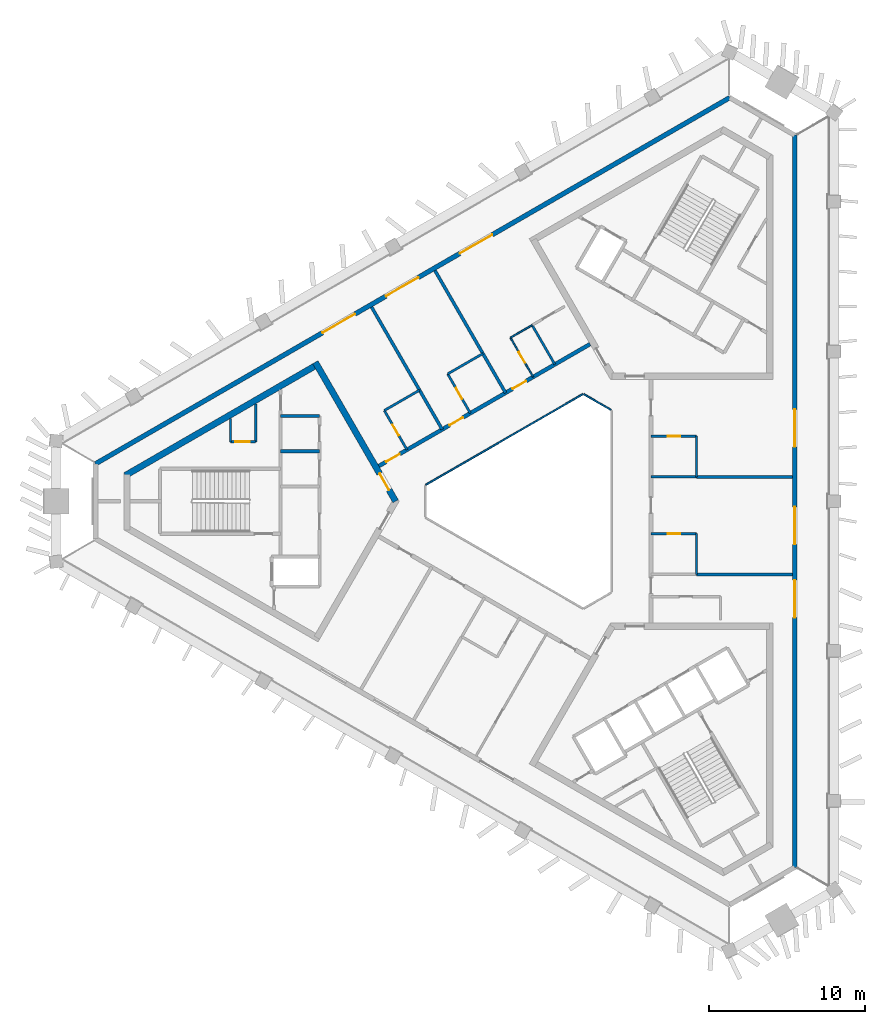
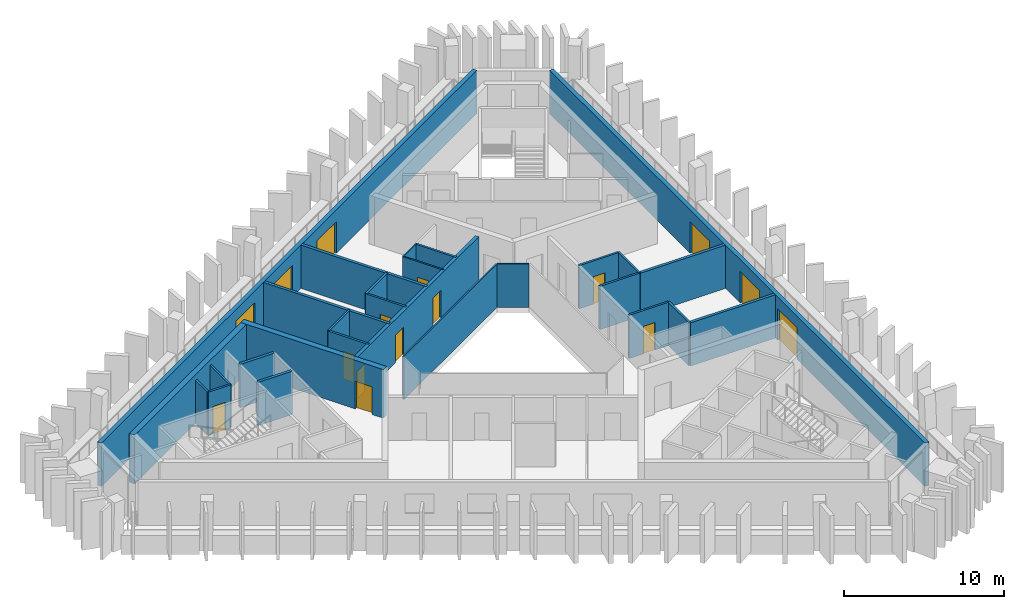
# One storey, part 4 of 9: 28 walls, 16 doors, 16 openings.
"""IFC4 building model written with IfcOpenShell, lengths in metres."""

from ifc_helpers import new_model, si_unit, direction, frame, frame_2d, origin, place, context, subcontext, project, spatial, rectangle, extrude, material, layer, layer_set, type_object, element, fill, save


model = new_model("IFC4")

# Units and contexts
model_context = context("Model", 3, precision=1e-05, world=origin(), true_north=direction((0.0, 1.0)))
body_context = subcontext(model_context, "Body", "Model", "MODEL_VIEW")
ifc_project = project(units=[si_unit("LENGTHUNIT", "METRE"), si_unit("AREAUNIT", "SQUARE_METRE"), si_unit("VOLUMEUNIT", "CUBIC_METRE"), si_unit("PLANEANGLEUNIT", "RADIAN"), si_unit("MASSUNIT", "GRAM", prefix="KILO")], contexts=[model_context])

# Site, building, storey
site_placement = place(None, origin())
site = spatial("IfcSite", under=ifc_project, at=site_placement, CompositionType="ELEMENT")
building_placement = place(site_placement, origin())
building = spatial("IfcBuilding", under=site, at=building_placement, Name="Jabali Bay Hotel Tower and Convention Centre", CompositionType="ELEMENT")
storey_placement = place(building_placement, frame((0.0, 0.0, 288.60009765625)))
storey = spatial("IfcBuildingStorey", under=building, at=storey_placement, Name="L71", CompositionType="ELEMENT", Elevation=288.60009765625)

# Walls
ifc_material_1 = material(Name="Fire-resistant glazing", Category="glass")
ifc_layer_1 = layer(ifc_material_1, 0.10009765625)
ifc_layer_set_1 = layer_set([ifc_layer_1], Name="Fire-resistant glazing")
wall_type_1 = type_object("IfcWallType", Name="Atrium glazed screen 100", PredefinedType="PARTITIONING", material=ifc_layer_set_1)
wall_1_placement = place(storey_placement, frame((79.530029296875, 85.84619140625, 0.0), z_axis=(0.0, 0.0, 1.0), x_axis=(-0.866041268327, 0.499972520799, 0.0)))
element("IfcWall", 1, at=wall_1_placement, inside=storey, type_object=wall_type_1, Name="Atrium screen 2 L71", PredefinedType="PARTITIONING", context=body_context, shape_type="SweptSolid", body=[
    extrude(rectangle(XDim=2.0, YDim=0.10009765625, at=frame_2d((1.0, 0.0))), origin(), (0.0, 0.0, 1.0), 3.2998046875),
])
wall_2_placement = place(storey_placement, frame((77.738037109375, 86.84619140625, 0.0), z_axis=(0.0, 0.0, 1.0), x_axis=(-0.866026658274, -0.499997827154, 0.0)))
element("IfcWall", 2, at=wall_2_placement, inside=storey, type_object=wall_type_1, Name="Atrium screen 3 L71", PredefinedType="PARTITIONING", context=body_context, shape_type="SweptSolid", body=[
    extrude(rectangle(XDim=11.58837890625, YDim=0.10009765625, at=frame_2d((5.794189453125, 0.0))), origin(), (0.0, 0.0, 1.0), 3.2998046875),
])

# Wall, opening, door
ifc_material_2 = material(Name="Fire-rated board partition")
ifc_layer_2 = layer(ifc_material_2, 0.14990234375)
ifc_layer_set_2 = layer_set([ifc_layer_2], Name="Fire-rated board partition")
wall_type_2 = type_object("IfcWallType", Name="Core room partition 150", PredefinedType="PARTITIONING", material=ifc_layer_set_2)
wall_3_placement = place(storey_placement, frame((56.820068359375, 83.800048828125, 0.0), z_axis=(0.0, 0.0, 1.0), x_axis=(-1.0, 0.0, 0.0)))
wall_3 = element("IfcWall", 3, at=wall_3_placement, inside=storey, type_object=wall_type_2, Name="Core wall 0.1 L71", PredefinedType="PARTITIONING", context=body_context, shape_type="SweptSolid", body=[
    extrude(rectangle(XDim=1.60009765625, YDim=0.14990234375, at=frame_2d((0.800048828125, 0.0))), origin(), (0.0, 0.0, 1.0), 3.2998046875),
])
opening_1_placement = place(wall_3_placement, frame((0.387451171875, 0.0, 0.0)))
opening_1 = element("IfcOpeningElement", 4, at=opening_1_placement, cuts=wall_3, Name="Opening D1572", PredefinedType="OPENING", context=body_context, shape_type="SweptSolid", body=[
    extrude(rectangle(XDim=0.89990234375, YDim=2.10009765625, at=frame_2d((0.449951171875, 1.050048828125))), frame((0.0, 0.08544921875, 0.0), z_axis=(0.0, -1.0, 0.0), x_axis=(1.0, 0.0, 0.0)), (0.0, 0.0, 1.0), 0.1708984375),
])
ifc_material_3 = material(Name="Fire-rated steel door", Category="steel")
door_type_1 = type_object("IfcDoorType", Name="Core room door 900 x 2100", OperationType="NOTDEFINED", PredefinedType="NOTDEFINED", material=ifc_material_3)
door_1_placement = place(opening_1_placement, origin())
door_1 = element("IfcDoor", 5, at=door_1_placement, inside=storey, type_object=door_type_1, Name="Core room door D1572", OperationType="SINGLE_SWING_LEFT", OverallHeight=2.10009765625, OverallWidth=0.89990234375, PredefinedType="NOTDEFINED", context=body_context, shape_type="SweptSolid", body=[
    extrude(rectangle(XDim=0.89990234375, YDim=2.10009765625, at=frame_2d((0.449951171875, 1.050048828125))), frame((0.0, 0.02490234375, 0.0), z_axis=(0.0, -1.0, 0.0), x_axis=(1.0, 0.0, 0.0)), (0.0, 0.0, 1.0), 0.050048828125),
])
fill(opening_1, door_1)

# Walls
wall_4_placement = place(storey_placement, frame((56.820068359375, 86.223876953125, 0.0), z_axis=(0.0, 0.0, 1.0), x_axis=(0.0, -1.0, 0.0)))
element("IfcWall", 6, at=wall_4_placement, inside=storey, type_object=wall_type_2, Name="Core wall 0.13 L71", PredefinedType="PARTITIONING", context=body_context, shape_type="SweptSolid", body=[
    extrude(rectangle(XDim=2.423828125, YDim=0.14990234375, at=frame_2d((1.2119140625, 0.0))), origin(), (0.0, 0.0, 1.0), 3.2998046875),
])
wall_5_placement = place(storey_placement, frame((55.219970703125, 85.300048828125, 0.0), z_axis=(0.0, 0.0, 1.0), x_axis=(0.0, -1.0, 0.0)))
element("IfcWall", 7, at=wall_5_placement, inside=storey, type_object=wall_type_2, Name="Core wall 0.14 L71", PredefinedType="PARTITIONING", context=body_context, shape_type="SweptSolid", body=[
    extrude(rectangle(XDim=1.5, YDim=0.14990234375, at=frame_2d((0.75, 0.0))), origin(), (0.0, 0.0, 1.0), 3.2998046875),
])
ifc_material_4 = material(Name="Concrete C40", Category="concrete")
ifc_layer_3 = layer(ifc_material_4, 0.199951171875)
ifc_layer_set_3 = layer_set([ifc_layer_3], Name="Concrete C40")
wall_type_3 = type_object("IfcWallType", Name="Core stair wall 200", PredefinedType="SOLIDWALL", material=ifc_layer_set_3)
for number, where, z_axis, x_axis, name in (
    (8, (60.89990234375, 85.449951171875, 0.0), (0.0, 0.0, 1.0), (-1.0, 0.0, 0.0), "Core wall 0.0 L71"),
    (9, (60.89990234375, 83.199951171875, 0.0), (0.0, 0.0, 1.0), (-1.0, 0.0, 0.0), "Core wall 0.2 L71"),
):
    element("IfcWall", number, at=place(storey_placement, frame(where, z_axis=z_axis, x_axis=x_axis)), inside=storey, type_object=wall_type_3, Name=name, PredefinedType="SOLIDWALL", context=body_context, shape_type="SweptSolid", body=[
        extrude(rectangle(XDim=2.47998046875, YDim=0.199951171875, at=frame_2d((1.239990234375, 0.0))), origin(), (0.0, 0.0, 1.0), 3.2998046875),
    ])

# Wall, opening, door
ifc_material_5 = material(Name="Concrete C60", Category="concrete")
ifc_layer_4 = layer(ifc_material_5, 0.39990234375)
ifc_layer_set_4 = layer_set([ifc_layer_4], Name="Concrete C60")
wall_type_4 = type_object("IfcWallType", Name="Core wall 400", PredefinedType="SHEAR", material=ifc_layer_set_4)
wall_6_placement = place(storey_placement, frame((65.76904296875, 80.0, 0.0), z_axis=(0.0, 0.0, 1.0), x_axis=(-0.50000177223, 0.866024380585, 0.0)))
wall_6 = element("IfcWall", 10, at=wall_6_placement, inside=storey, type_object=wall_type_4, Name="Core wall 1.1 L71", PredefinedType="SHEAR", context=body_context, shape_type="SweptSolid", body=[
    extrude(rectangle(XDim=10.2646484375, YDim=0.39990234375, at=frame_2d((5.13232421875, 0.0))), origin(), (0.0, 0.0, 1.0), 3.699951171875),
])
opening_2_placement = place(wall_6_placement, frame((0.83447265625, 0.0, 0.0)))
opening_2 = element("IfcOpeningElement", 11, at=opening_2_placement, cuts=wall_6, Name="Opening D1564", PredefinedType="OPENING", context=body_context, shape_type="SweptSolid", body=[
    extrude(rectangle(XDim=1.199951171875, YDim=2.10009765625, at=frame_2d((0.60009765625, 1.050048828125))), frame((0.0, 0.21044921875, 0.0), z_axis=(0.0, -1.0, 0.0), x_axis=(1.0, 0.0, 0.0)), (0.0, 0.0, 1.0), 0.4208984375),
])
door_type_2 = type_object("IfcDoorType", Name="Corridor end fire door 1200 x 2100", OperationType="NOTDEFINED", PredefinedType="NOTDEFINED", material=ifc_material_3)
door_2_placement = place(opening_2_placement, origin())
door_2 = element("IfcDoor", 12, at=door_2_placement, inside=storey, type_object=door_type_2, Name="Corridor end fire door D1564", OperationType="SINGLE_SWING_RIGHT", OverallHeight=2.10009765625, OverallWidth=1.199951171875, PredefinedType="NOTDEFINED", context=body_context, shape_type="SweptSolid", body=[
    extrude(rectangle(XDim=1.199951171875, YDim=2.10009765625, at=frame_2d((0.60009765625, 1.050048828125))), frame((0.0, 0.02490234375, 0.0), z_axis=(0.0, -1.0, 0.0), x_axis=(1.0, 0.0, 0.0)), (0.0, 0.0, 1.0), 0.050048828125),
])
fill(opening_2, door_2)

# Wall
wall_7_placement = place(storey_placement, frame((60.73681640625, 88.716064453125, 0.0), z_axis=(0.0, 0.0, 1.0), x_axis=(-0.866028812667, -0.499994095595, 0.0)))
element("IfcWall", 13, at=wall_7_placement, inside=storey, type_object=wall_type_4, Name="Core wall 1.2 L71", PredefinedType="SHEAR", context=body_context, shape_type="SweptSolid", body=[
    extrude(rectangle(XDim=14.133544921875, YDim=0.39990234375, at=frame_2d((7.06689453125, 0.0))), origin(), (0.0, 0.0, 1.0), 3.699951171875),
])

# Wall, openings, doors
ifc_layer_5 = layer(ifc_material_5, 0.25)
ifc_layer_set_5 = layer_set([ifc_layer_5], Name="Concrete C60")
wall_type_5 = type_object("IfcWallType", Name="Corridor wall 250", PredefinedType="SHEAR", material=ifc_layer_set_5)
wall_8_placement = place(storey_placement, frame((78.199951171875, 90.0458984375, 0.0), z_axis=(0.0, 0.0, 1.0), x_axis=(-0.866026492143, -0.499998114903, 0.0)))
wall_8 = element("IfcWall", 14, at=wall_8_placement, inside=storey, type_object=wall_type_5, Name="Corridor wall 2 L71", PredefinedType="SHEAR", context=body_context, shape_type="SweptSolid", body=[
    extrude(rectangle(XDim=15.58837890625, YDim=0.25, at=frame_2d((7.794189453125, 0.0))), origin(), (0.0, 0.0, 1.0), 3.2998046875),
])
opening_3_placement = place(wall_8_placement, frame((4.7177734375, 0.0, 0.0)))
opening_3 = element("IfcOpeningElement", 15, at=opening_3_placement, cuts=wall_8, Name="Opening 7109", PredefinedType="OPENING", context=body_context, shape_type="SweptSolid", body=[
    extrude(rectangle(XDim=1.0, YDim=2.10009765625, at=frame_2d((0.5, 1.050048828125))), frame((0.0, 0.135498046875, 0.0), z_axis=(0.0, -1.0, 0.0), x_axis=(1.0, 0.0, 0.0)), (0.0, 0.0, 1.0), 0.27099609375),
])
opening_4_placement = place(wall_8_placement, frame((9.373779296875, 0.0, 0.0)))
opening_4 = element("IfcOpeningElement", 16, at=opening_4_placement, cuts=wall_8, Name="Opening 7111", PredefinedType="OPENING", context=body_context, shape_type="SweptSolid", body=[
    extrude(rectangle(XDim=1.0, YDim=2.10009765625, at=frame_2d((0.5, 1.050048828125))), frame((0.0, 0.135498046875, 0.0), z_axis=(0.0, -1.0, 0.0), x_axis=(1.0, 0.0, 0.0)), (0.0, 0.0, 1.0), 0.27099609375),
])
opening_5_placement = place(wall_8_placement, frame((14.05029296875, 0.0, 0.0)))
opening_5 = element("IfcOpeningElement", 17, at=opening_5_placement, cuts=wall_8, Name="Opening 7113", PredefinedType="OPENING", context=body_context, shape_type="SweptSolid", body=[
    extrude(rectangle(XDim=1.0, YDim=2.10009765625, at=frame_2d((0.5, 1.050048828125))), frame((0.0, 0.135498046875, 0.0), z_axis=(0.0, -1.0, 0.0), x_axis=(1.0, 0.0, 0.0)), (0.0, 0.0, 1.0), 0.27099609375),
])
ifc_material_6 = material(Name="Timber", Category="wood")
door_type_3 = type_object("IfcDoorType", Name="Guest room door 1000 x 2100", OperationType="NOTDEFINED", PredefinedType="NOTDEFINED", material=ifc_material_6)
door_3_placement = place(opening_3_placement, origin())
door_3 = element("IfcDoor", 18, at=door_3_placement, inside=storey, type_object=door_type_3, Name="Door 7109", OperationType="SINGLE_SWING_LEFT", OverallHeight=2.10009765625, OverallWidth=1.0, PredefinedType="NOTDEFINED", context=body_context, shape_type="SweptSolid", body=[
    extrude(rectangle(XDim=1.0, YDim=2.10009765625, at=frame_2d((0.5, 1.050048828125))), frame((0.0, 0.02490234375, 0.0), z_axis=(0.0, -1.0, 0.0), x_axis=(1.0, 0.0, 0.0)), (0.0, 0.0, 1.0), 0.050048828125),
])
fill(opening_3, door_3)
door_4_placement = place(opening_4_placement, origin())
door_4 = element("IfcDoor", 19, at=door_4_placement, inside=storey, type_object=door_type_3, Name="Door 7111", OperationType="SINGLE_SWING_RIGHT", OverallHeight=2.10009765625, OverallWidth=1.0, PredefinedType="NOTDEFINED", context=body_context, shape_type="SweptSolid", body=[
    extrude(rectangle(XDim=1.0, YDim=2.10009765625, at=frame_2d((0.5, 1.050048828125))), frame((0.0, 0.02490234375, 0.0), z_axis=(0.0, -1.0, 0.0), x_axis=(1.0, 0.0, 0.0)), (0.0, 0.0, 1.0), 0.050048828125),
])
fill(opening_4, door_4)
door_5_placement = place(opening_5_placement, origin())
door_5 = element("IfcDoor", 20, at=door_5_placement, inside=storey, type_object=door_type_3, Name="Door 7113", OperationType="SINGLE_SWING_RIGHT", OverallHeight=2.10009765625, OverallWidth=1.0, PredefinedType="NOTDEFINED", context=body_context, shape_type="SweptSolid", body=[
    extrude(rectangle(XDim=1.0, YDim=2.10009765625, at=frame_2d((0.5, 1.050048828125))), frame((0.0, 0.02490234375, 0.0), z_axis=(0.0, -1.0, 0.0), x_axis=(1.0, 0.0, 0.0)), (0.0, 0.0, 1.0), 0.050048828125),
])
fill(opening_5, door_5)

ifc_layer_6 = layer(ifc_material_4, 0.300048828125)
ifc_layer_set_6 = layer_set([ifc_layer_6], Name="Concrete C40")
wall_type_6 = type_object("IfcWallType", Name="External wall 300", PredefinedType="SOLIDWALL", material=ifc_layer_set_6)
wall_9_placement = place(storey_placement, frame((91.279052734375, 103.40771484375, 0.0), z_axis=(0.0, 0.0, 1.0), x_axis=(0.0, -1.0, 0.0)))
wall_9 = element("IfcWall", 21, at=wall_9_placement, inside=storey, type_object=wall_type_6, Name="External wall east face L71", PredefinedType="SOLIDWALL", context=body_context, shape_type="SweptSolid", body=[
    extrude(rectangle(XDim=46.8154296875, YDim=0.300048828125, at=frame_2d((23.40771484375, 0.0))), origin(), (0.0, 0.0, 1.0), 3.2998046875),
])
opening_6_placement = place(wall_9_placement, frame((17.53125, 0.0, 0.0)))
opening_6 = element("IfcOpeningElement", 22, at=opening_6_placement, cuts=wall_9, Name="Opening SD1", PredefinedType="OPENING", context=body_context, shape_type="SweptSolid", body=[
    extrude(rectangle(XDim=2.39990234375, YDim=2.39990234375, at=frame_2d((1.199951171875, 1.199951171875))), frame((0.0, 0.16064453125, 0.0), z_axis=(0.0, -1.0, 0.0), x_axis=(1.0, 0.0, 0.0)), (0.0, 0.0, 1.0), 0.321044921875),
])
opening_7_placement = place(wall_9_placement, frame((28.443115234375, 0.0, 0.0)))
opening_7 = element("IfcOpeningElement", 23, at=opening_7_placement, cuts=wall_9, Name="Opening SD1", PredefinedType="OPENING", context=body_context, shape_type="SweptSolid", body=[
    extrude(rectangle(XDim=2.39990234375, YDim=2.39990234375, at=frame_2d((1.199951171875, 1.199951171875))), frame((0.0, 0.16064453125, 0.0), z_axis=(0.0, -1.0, 0.0), x_axis=(1.0, 0.0, 0.0)), (0.0, 0.0, 1.0), 0.321044921875),
])
opening_8_placement = place(wall_9_placement, frame((23.7666015625, 0.0, 0.0)))
opening_8 = element("IfcOpeningElement", 24, at=opening_8_placement, cuts=wall_9, Name="Opening SD1", PredefinedType="OPENING", context=body_context, shape_type="SweptSolid", body=[
    extrude(rectangle(XDim=2.39990234375, YDim=2.39990234375, at=frame_2d((1.199951171875, 1.199951171875))), frame((0.0, 0.16064453125, 0.0), z_axis=(0.0, -1.0, 0.0), x_axis=(1.0, 0.0, 0.0)), (0.0, 0.0, 1.0), 0.321044921875),
])
ifc_material_7 = material(Name="Glass", Category="glass")
door_type_4 = type_object("IfcDoorType", Name="Loggia sliding door 2400 x 2400", OperationType="NOTDEFINED", PredefinedType="NOTDEFINED", material=ifc_material_7)
door_6_placement = place(opening_6_placement, origin())
door_6 = element("IfcDoor", 25, at=door_6_placement, inside=storey, type_object=door_type_4, Name="Loggia sliding door 7103", OperationType="SLIDING_TO_LEFT", OverallHeight=2.39990234375, OverallWidth=2.39990234375, PredefinedType="NOTDEFINED", context=body_context, shape_type="SweptSolid", body=[
    extrude(rectangle(XDim=2.39990234375, YDim=2.39990234375, at=frame_2d((1.199951171875, 1.199951171875))), frame((0.0, 0.02490234375, 0.0), z_axis=(0.0, -1.0, 0.0), x_axis=(1.0, 0.0, 0.0)), (0.0, 0.0, 1.0), 0.050048828125),
])
fill(opening_6, door_6)
door_7_placement = place(opening_7_placement, origin())
door_7 = element("IfcDoor", 26, at=door_7_placement, inside=storey, type_object=door_type_4, Name="Loggia sliding door 7101", OperationType="SLIDING_TO_RIGHT", OverallHeight=2.39990234375, OverallWidth=2.39990234375, PredefinedType="NOTDEFINED", context=body_context, shape_type="SweptSolid", body=[
    extrude(rectangle(XDim=2.39990234375, YDim=2.39990234375, at=frame_2d((1.199951171875, 1.199951171875))), frame((0.0, 0.02490234375, 0.0), z_axis=(0.0, -1.0, 0.0), x_axis=(1.0, 0.0, 0.0)), (0.0, 0.0, 1.0), 0.050048828125),
])
fill(opening_7, door_7)
door_8_placement = place(opening_8_placement, origin())
door_8 = element("IfcDoor", 27, at=door_8_placement, inside=storey, type_object=door_type_4, Name="Loggia sliding door 7102", OperationType="SLIDING_TO_LEFT", OverallHeight=2.39990234375, OverallWidth=2.39990234375, PredefinedType="NOTDEFINED", context=body_context, shape_type="SweptSolid", body=[
    extrude(rectangle(XDim=2.39990234375, YDim=2.39990234375, at=frame_2d((1.199951171875, 1.199951171875))), frame((0.0, 0.02490234375, 0.0), z_axis=(0.0, -1.0, 0.0), x_axis=(1.0, 0.0, 0.0)), (0.0, 0.0, 1.0), 0.050048828125),
])
fill(opening_8, door_8)

wall_10_placement = place(storey_placement, frame((46.5888671875, 82.394287109375, 0.0), z_axis=(0.0, 0.0, 1.0), x_axis=(0.866024664133, 0.500001281111, 0.0)))
wall_10 = element("IfcWall", 28, at=wall_10_placement, inside=storey, type_object=wall_type_6, Name="External wall north-west face L71", PredefinedType="SOLIDWALL", context=body_context, shape_type="SweptSolid", body=[
    extrude(rectangle(XDim=46.8154296875, YDim=0.300048828125, at=frame_2d((23.40771484375, 0.0))), origin(), (0.0, 0.0, 1.0), 3.2998046875),
])
opening_9_placement = place(wall_10_placement, frame((16.751708984375, 0.0, 0.0)))
opening_9 = element("IfcOpeningElement", 29, at=opening_9_placement, cuts=wall_10, Name="Opening SD1", PredefinedType="OPENING", context=body_context, shape_type="SweptSolid", body=[
    extrude(rectangle(XDim=2.39990234375, YDim=2.39990234375, at=frame_2d((1.199951171875, 1.199951171875))), frame((0.0, 0.16064453125, 0.0), z_axis=(0.0, -1.0, 0.0), x_axis=(1.0, 0.0, 0.0)), (0.0, 0.0, 1.0), 0.321044921875),
])
opening_10_placement = place(wall_10_placement, frame((26.88427734375, 0.0, 0.0)))
opening_10 = element("IfcOpeningElement", 30, at=opening_10_placement, cuts=wall_10, Name="Opening SD1", PredefinedType="OPENING", context=body_context, shape_type="SweptSolid", body=[
    extrude(rectangle(XDim=2.39990234375, YDim=2.39990234375, at=frame_2d((1.199951171875, 1.199951171875))), frame((0.0, 0.16064453125, 0.0), z_axis=(0.0, -1.0, 0.0), x_axis=(1.0, 0.0, 0.0)), (0.0, 0.0, 1.0), 0.321044921875),
])
opening_11_placement = place(wall_10_placement, frame((21.42822265625, 0.0, 0.0)))
opening_11 = element("IfcOpeningElement", 31, at=opening_11_placement, cuts=wall_10, Name="Opening SD1", PredefinedType="OPENING", context=body_context, shape_type="SweptSolid", body=[
    extrude(rectangle(XDim=2.39990234375, YDim=2.39990234375, at=frame_2d((1.199951171875, 1.199951171875))), frame((0.0, 0.16064453125, 0.0), z_axis=(0.0, -1.0, 0.0), x_axis=(1.0, 0.0, 0.0)), (0.0, 0.0, 1.0), 0.321044921875),
])
door_9_placement = place(opening_9_placement, origin())
door_9 = element("IfcDoor", 32, at=door_9_placement, inside=storey, type_object=door_type_4, Name="Loggia sliding door 7106", OperationType="SLIDING_TO_LEFT", OverallHeight=2.39990234375, OverallWidth=2.39990234375, PredefinedType="NOTDEFINED", context=body_context, shape_type="SweptSolid", body=[
    extrude(rectangle(XDim=2.39990234375, YDim=2.39990234375, at=frame_2d((1.199951171875, 1.199951171875))), frame((0.0, 0.02490234375, 0.0), z_axis=(0.0, -1.0, 0.0), x_axis=(1.0, 0.0, 0.0)), (0.0, 0.0, 1.0), 0.050048828125),
])
fill(opening_9, door_9)
door_10_placement = place(opening_10_placement, origin())
door_10 = element("IfcDoor", 33, at=door_10_placement, inside=storey, type_object=door_type_4, Name="Loggia sliding door 7104", OperationType="SLIDING_TO_RIGHT", OverallHeight=2.39990234375, OverallWidth=2.39990234375, PredefinedType="NOTDEFINED", context=body_context, shape_type="SweptSolid", body=[
    extrude(rectangle(XDim=2.39990234375, YDim=2.39990234375, at=frame_2d((1.199951171875, 1.199951171875))), frame((0.0, 0.02490234375, 0.0), z_axis=(0.0, -1.0, 0.0), x_axis=(1.0, 0.0, 0.0)), (0.0, 0.0, 1.0), 0.050048828125),
])
fill(opening_10, door_10)
door_11_placement = place(opening_11_placement, origin())
door_11 = element("IfcDoor", 34, at=door_11_placement, inside=storey, type_object=door_type_4, Name="Loggia sliding door 7105", OperationType="SLIDING_TO_LEFT", OverallHeight=2.39990234375, OverallWidth=2.39990234375, PredefinedType="NOTDEFINED", context=body_context, shape_type="SweptSolid", body=[
    extrude(rectangle(XDim=2.39990234375, YDim=2.39990234375, at=frame_2d((1.199951171875, 1.199951171875))), frame((0.0, 0.02490234375, 0.0), z_axis=(0.0, -1.0, 0.0), x_axis=(1.0, 0.0, 0.0)), (0.0, 0.0, 1.0), 0.050048828125),
])
fill(opening_11, door_11)

# Wall, opening, door
ifc_material_8 = material(Name="Plasterboard on steel stud", Category="steel")
ifc_layer_7 = layer(ifc_material_8, 0.10009765625)
ifc_layer_set_7 = layer_set([ifc_layer_7], Name="Plasterboard on steel stud")
wall_type_7 = type_object("IfcWallType", Name="Partition 100 unit", PredefinedType="PARTITIONING", material=ifc_layer_set_7)
wall_11_placement = place(storey_placement, frame((74.562744140625, 87.94580078125, 0.0), z_axis=(0.0, 0.0, 1.0), x_axis=(-0.499987231761, 0.866032775405, 0.0)))
wall_11 = element("IfcWall", 35, at=wall_11_placement, inside=storey, type_object=wall_type_7, Name="Partition P02 L71 014", PredefinedType="PARTITIONING", context=body_context, shape_type="SweptSolid", body=[
    extrude(rectangle(XDim=2.89990234375, YDim=0.10009765625, at=frame_2d((1.449951171875, 0.0))), origin(), (0.0, 0.0, 1.0), 3.2998046875),
])
opening_12_placement = place(wall_11_placement, frame((1.050048828125, 0.0, 0.0)))
opening_12 = element("IfcOpeningElement", 36, at=opening_12_placement, cuts=wall_11, Name="Opening 7108", PredefinedType="OPENING", context=body_context, shape_type="SweptSolid", body=[
    extrude(rectangle(XDim=0.800048828125, YDim=2.10009765625, at=frame_2d((0.39990234375, 1.050048828125))), frame((0.0, 0.060546875, 0.0), z_axis=(0.0, -1.0, 0.0), x_axis=(1.0, 0.0, 0.0)), (0.0, 0.0, 1.0), 0.12109375),
])
door_type_5 = type_object("IfcDoorType", Name="Dressing room door 800 x 2100", OperationType="NOTDEFINED", PredefinedType="NOTDEFINED", material=ifc_material_6)
door_12_placement = place(opening_12_placement, origin())
door_12 = element("IfcDoor", 37, at=door_12_placement, inside=storey, type_object=door_type_5, Name="Door 7108", OperationType="SINGLE_SWING_RIGHT", OverallHeight=2.10009765625, OverallWidth=0.800048828125, PredefinedType="NOTDEFINED", context=body_context, shape_type="SweptSolid", body=[
    extrude(rectangle(XDim=0.800048828125, YDim=2.10009765625, at=frame_2d((0.39990234375, 1.050048828125))), frame((0.0, 0.02490234375, 0.0), z_axis=(0.0, -1.0, 0.0), x_axis=(1.0, 0.0, 0.0)), (0.0, 0.0, 1.0), 0.050048828125),
])
fill(opening_12, door_12)

# Wall
wall_12_placement = place(storey_placement, frame((73.11279296875, 90.457275390625, 0.0), z_axis=(0.0, 0.0, 1.0), x_axis=(0.865989903783, 0.500061482766, 0.0)))
element("IfcWall", 38, at=wall_12_placement, inside=storey, type_object=wall_type_7, Name="Partition P02 L71 015", PredefinedType="PARTITIONING", context=body_context, shape_type="SweptSolid", body=[
    extrude(rectangle(XDim=1.599853515625, YDim=0.10009765625, at=frame_2d((0.7998046875, 0.0))), origin(), (0.0, 0.0, 1.0), 3.2998046875),
])

# Wall, opening, door
ifc_layer_8 = layer(ifc_material_8, 0.14990234375)
ifc_layer_set_8 = layer_set([ifc_layer_8], Name="Plasterboard on steel stud")
wall_type_8 = type_object("IfcWallType", Name="Partition 150 wet", PredefinedType="PARTITIONING", material=ifc_layer_set_8)
wall_13_placement = place(storey_placement, frame((82.10009765625, 77.923583984375, 0.0), z_axis=(0.0, 0.0, 1.0), x_axis=(1.0, 0.0, 0.0)))
wall_13 = element("IfcWall", 39, at=wall_13_placement, inside=storey, type_object=wall_type_8, Name="Partition P03 L71 006", PredefinedType="PARTITIONING", context=body_context, shape_type="SweptSolid", body=[
    extrude(rectangle(XDim=2.89990234375, YDim=0.14990234375, at=frame_2d((1.449951171875, 0.0))), origin(), (0.0, 0.0, 1.0), 3.2998046875),
])
opening_13_placement = place(wall_13_placement, frame((1.050048828125, 0.0, 0.0)))
opening_13 = element("IfcOpeningElement", 40, at=opening_13_placement, cuts=wall_13, Name="Opening 7103", PredefinedType="OPENING", context=body_context, shape_type="SweptSolid", body=[
    extrude(rectangle(XDim=0.800048828125, YDim=2.10009765625, at=frame_2d((0.39990234375, 1.050048828125))), frame((0.0, 0.08544921875, 0.0), z_axis=(0.0, -1.0, 0.0), x_axis=(1.0, 0.0, 0.0)), (0.0, 0.0, 1.0), 0.1708984375),
])
door_type_6 = type_object("IfcDoorType", Name="En-suite door 800 x 2100", OperationType="NOTDEFINED", PredefinedType="NOTDEFINED", material=ifc_material_6)
door_13_placement = place(opening_13_placement, origin())
door_13 = element("IfcDoor", 41, at=door_13_placement, inside=storey, type_object=door_type_6, Name="Door 7103", OperationType="SINGLE_SWING_RIGHT", OverallHeight=2.10009765625, OverallWidth=0.800048828125, PredefinedType="NOTDEFINED", context=body_context, shape_type="SweptSolid", body=[
    extrude(rectangle(XDim=0.800048828125, YDim=2.10009765625, at=frame_2d((0.39990234375, 1.050048828125))), frame((0.0, 0.02490234375, 0.0), z_axis=(0.0, -1.0, 0.0), x_axis=(1.0, 0.0, 0.0)), (0.0, 0.0, 1.0), 0.050048828125),
])
fill(opening_13, door_13)

# Walls
wall_14_placement = place(storey_placement, frame((85.0, 77.923583984375, 0.0), z_axis=(0.0, 0.0, 1.0), x_axis=(0.0, -1.0, 0.0)))
element("IfcWall", 42, at=wall_14_placement, inside=storey, type_object=wall_type_8, Name="Partition P03 L71 007", PredefinedType="PARTITIONING", context=body_context, shape_type="SweptSolid", body=[
    extrude(rectangle(XDim=2.60009765625, YDim=0.14990234375, at=frame_2d((1.300048828125, 0.0))), origin(), (0.0, 0.0, 1.0), 3.2998046875),
])
wall_15_placement = place(storey_placement, frame((85.0, 81.558837890625, 0.0), z_axis=(0.0, 0.0, 1.0), x_axis=(-1.0, 0.0, 0.0)))
element("IfcWall", 43, at=wall_15_placement, inside=storey, type_object=wall_type_8, Name="Partition P03 L71 009", PredefinedType="PARTITIONING", context=body_context, shape_type="SweptSolid", body=[
    extrude(rectangle(XDim=2.89990234375, YDim=0.14990234375, at=frame_2d((1.449951171875, 0.0))), origin(), (0.0, 0.0, 1.0), 3.2998046875),
])

# Wall, opening, door
wall_16_placement = place(storey_placement, frame((82.10009765625, 84.158935546875, 0.0), z_axis=(0.0, 0.0, 1.0), x_axis=(1.0, 0.0, 0.0)))
wall_16 = element("IfcWall", 44, at=wall_16_placement, inside=storey, type_object=wall_type_8, Name="Partition P03 L71 010", PredefinedType="PARTITIONING", context=body_context, shape_type="SweptSolid", body=[
    extrude(rectangle(XDim=2.89990234375, YDim=0.14990234375, at=frame_2d((1.449951171875, 0.0))), origin(), (0.0, 0.0, 1.0), 3.2998046875),
])
opening_14_placement = place(wall_16_placement, frame((1.050048828125, 0.0, 0.0)))
opening_14 = element("IfcOpeningElement", 45, at=opening_14_placement, cuts=wall_16, Name="Opening 7105", PredefinedType="OPENING", context=body_context, shape_type="SweptSolid", body=[
    extrude(rectangle(XDim=0.800048828125, YDim=2.10009765625, at=frame_2d((0.39990234375, 1.050048828125))), frame((0.0, 0.08544921875, 0.0), z_axis=(0.0, -1.0, 0.0), x_axis=(1.0, 0.0, 0.0)), (0.0, 0.0, 1.0), 0.1708984375),
])
door_14_placement = place(opening_14_placement, origin())
door_14 = element("IfcDoor", 46, at=door_14_placement, inside=storey, type_object=door_type_6, Name="Door 7105", OperationType="SINGLE_SWING_RIGHT", OverallHeight=2.10009765625, OverallWidth=0.800048828125, PredefinedType="NOTDEFINED", context=body_context, shape_type="SweptSolid", body=[
    extrude(rectangle(XDim=0.800048828125, YDim=2.10009765625, at=frame_2d((0.39990234375, 1.050048828125))), frame((0.0, 0.02490234375, 0.0), z_axis=(0.0, -1.0, 0.0), x_axis=(1.0, 0.0, 0.0)), (0.0, 0.0, 1.0), 0.050048828125),
])
fill(opening_14, door_14)

# Walls
wall_17_placement = place(storey_placement, frame((85.0, 84.158935546875, 0.0), z_axis=(0.0, 0.0, 1.0), x_axis=(0.0, -1.0, 0.0)))
element("IfcWall", 47, at=wall_17_placement, inside=storey, type_object=wall_type_8, Name="Partition P03 L71 011", PredefinedType="PARTITIONING", context=body_context, shape_type="SweptSolid", body=[
    extrude(rectangle(XDim=2.60009765625, YDim=0.14990234375, at=frame_2d((1.300048828125, 0.0))), origin(), (0.0, 0.0, 1.0), 3.2998046875),
])
wall_18_placement = place(storey_placement, frame((74.498291015625, 91.25732421875, 0.0), z_axis=(0.0, 0.0, 1.0), x_axis=(0.499987231761, -0.866032775405, 0.0)))
element("IfcWall", 48, at=wall_18_placement, inside=storey, type_object=wall_type_8, Name="Partition P03 L71 017", PredefinedType="PARTITIONING", context=body_context, shape_type="SweptSolid", body=[
    extrude(rectangle(XDim=2.89990234375, YDim=0.14990234375, at=frame_2d((1.449951171875, 0.0))), origin(), (0.0, 0.0, 1.0), 3.2998046875),
])

# Wall, opening, door
wall_19_placement = place(storey_placement, frame((70.54833984375, 85.628173828125, 0.0), z_axis=(0.0, 0.0, 1.0), x_axis=(-0.499987231761, 0.866032775405, 0.0)))
wall_19 = element("IfcWall", 49, at=wall_19_placement, inside=storey, type_object=wall_type_8, Name="Partition P03 L71 018", PredefinedType="PARTITIONING", context=body_context, shape_type="SweptSolid", body=[
    extrude(rectangle(XDim=2.89990234375, YDim=0.14990234375, at=frame_2d((1.449951171875, 0.0))), origin(), (0.0, 0.0, 1.0), 3.2998046875),
])
opening_15_placement = place(wall_19_placement, frame((1.050048828125, 0.0, 0.0)))
opening_15 = element("IfcOpeningElement", 50, at=opening_15_placement, cuts=wall_19, Name="Opening 7110", PredefinedType="OPENING", context=body_context, shape_type="SweptSolid", body=[
    extrude(rectangle(XDim=0.800048828125, YDim=2.10009765625, at=frame_2d((0.39990234375, 1.050048828125))), frame((0.0, 0.08544921875, 0.0), z_axis=(0.0, -1.0, 0.0), x_axis=(1.0, 0.0, 0.0)), (0.0, 0.0, 1.0), 0.1708984375),
])
door_15_placement = place(opening_15_placement, origin())
door_15 = element("IfcDoor", 51, at=door_15_placement, inside=storey, type_object=door_type_6, Name="Door 7110", OperationType="SINGLE_SWING_RIGHT", OverallHeight=2.10009765625, OverallWidth=0.800048828125, PredefinedType="NOTDEFINED", context=body_context, shape_type="SweptSolid", body=[
    extrude(rectangle(XDim=0.800048828125, YDim=2.10009765625, at=frame_2d((0.39990234375, 1.050048828125))), frame((0.0, 0.02490234375, 0.0), z_axis=(0.0, -1.0, 0.0), x_axis=(1.0, 0.0, 0.0)), (0.0, 0.0, 1.0), 0.050048828125),
])
fill(opening_15, door_15)

# Wall
wall_20_placement = place(storey_placement, frame((69.098388671875, 88.1396484375, 0.0), z_axis=(0.0, 0.0, 1.0), x_axis=(0.866021400173, 0.500006934395, 0.0)))
element("IfcWall", 52, at=wall_20_placement, inside=storey, type_object=wall_type_8, Name="Partition P03 L71 019", PredefinedType="PARTITIONING", context=body_context, shape_type="SweptSolid", body=[
    extrude(rectangle(XDim=2.60009765625, YDim=0.14990234375, at=frame_2d((1.300048828125, 0.0))), origin(), (0.0, 0.0, 1.0), 3.2998046875),
])

# Wall, opening, door
wall_21_placement = place(storey_placement, frame((66.498291015625, 83.2900390625, 0.0), z_axis=(0.0, 0.0, 1.0), x_axis=(-0.499987231761, 0.866032775405, 0.0)))
wall_21 = element("IfcWall", 53, at=wall_21_placement, inside=storey, type_object=wall_type_8, Name="Partition P03 L71 021", PredefinedType="PARTITIONING", context=body_context, shape_type="SweptSolid", body=[
    extrude(rectangle(XDim=2.89990234375, YDim=0.14990234375, at=frame_2d((1.449951171875, 0.0))), origin(), (0.0, 0.0, 1.0), 3.2998046875),
])
opening_16_placement = place(wall_21_placement, frame((1.050048828125, 0.0, 0.0)))
opening_16 = element("IfcOpeningElement", 54, at=opening_16_placement, cuts=wall_21, Name="Opening 7112", PredefinedType="OPENING", context=body_context, shape_type="SweptSolid", body=[
    extrude(rectangle(XDim=0.800048828125, YDim=2.10009765625, at=frame_2d((0.39990234375, 1.050048828125))), frame((0.0, 0.08544921875, 0.0), z_axis=(0.0, -1.0, 0.0), x_axis=(1.0, 0.0, 0.0)), (0.0, 0.0, 1.0), 0.1708984375),
])
door_16_placement = place(opening_16_placement, origin())
door_16 = element("IfcDoor", 55, at=door_16_placement, inside=storey, type_object=door_type_6, Name="Door 7112", OperationType="SINGLE_SWING_LEFT", OverallHeight=2.10009765625, OverallWidth=0.800048828125, PredefinedType="NOTDEFINED", context=body_context, shape_type="SweptSolid", body=[
    extrude(rectangle(XDim=0.800048828125, YDim=2.10009765625, at=frame_2d((0.39990234375, 1.050048828125))), frame((0.0, 0.02490234375, 0.0), z_axis=(0.0, -1.0, 0.0), x_axis=(1.0, 0.0, 0.0)), (0.0, 0.0, 1.0), 0.050048828125),
])
fill(opening_16, door_16)

# Walls
wall_22_placement = place(storey_placement, frame((65.04833984375, 85.801513671875, 0.0), z_axis=(0.0, 0.0, 1.0), x_axis=(0.866062058628, 0.499936506574, 0.0)))
element("IfcWall", 56, at=wall_22_placement, inside=storey, type_object=wall_type_8, Name="Partition P03 L71 022", PredefinedType="PARTITIONING", context=body_context, shape_type="SweptSolid", body=[
    extrude(rectangle(XDim=2.599853515625, YDim=0.14990234375, at=frame_2d((1.2998046875, 0.0))), origin(), (0.0, 0.0, 1.0), 3.2998046875),
])
ifc_layer_9 = layer(ifc_material_8, 0.199951171875)
ifc_layer_set_9 = layer_set([ifc_layer_9], Name="Plasterboard on steel stud")
wall_type_9 = type_object("IfcWallType", Name="Partition 200 party", PredefinedType="PARTITIONING", material=ifc_layer_set_9)
for number, where, z_axis, x_axis, name in (
    (57, (91.130126953125, 75.323486328125, 0.0), (0.0, 0.0, 1.0), (-1.0, 0.0, 0.0), "Partition P01 L71 003"),
    (58, (91.130126953125, 81.558837890625, 0.0), (0.0, 0.0, 1.0), (-1.0, 0.0, 0.0), "Partition P01 L71 008"),
):
    element("IfcWall", number, at=place(storey_placement, frame(where, z_axis=z_axis, x_axis=x_axis)), inside=storey, type_object=wall_type_9, Name=name, PredefinedType="PARTITIONING", context=body_context, shape_type="SweptSolid", body=[
        extrude(rectangle(XDim=6.130126953125, YDim=0.199951171875, at=frame_2d((3.06494140625, 0.0))), origin(), (0.0, 0.0, 1.0), 3.2998046875),
    ])
for number, where, z_axis, x_axis, name in (
    (59, (68.284912109375, 94.74853515625, 0.0), (0.0, 0.0, 1.0), (0.500006411147, -0.866021702275, 0.0), "Partition P01 L71 016"),
    (60, (64.23486328125, 92.41015625, 0.0), (0.0, 0.0, 1.0), (0.500006411147, -0.866021702275, 0.0), "Partition P01 L71 020"),
):
    element("IfcWall", number, at=place(storey_placement, frame(where, z_axis=z_axis, x_axis=x_axis)), inside=storey, type_object=wall_type_9, Name=name, PredefinedType="PARTITIONING", context=body_context, shape_type="SweptSolid", body=[
        extrude(rectangle(XDim=9.0302734375, YDim=0.199951171875, at=frame_2d((4.51513671875, 0.0))), origin(), (0.0, 0.0, 1.0), 3.2998046875),
    ])

save(model, "model.ifc")
